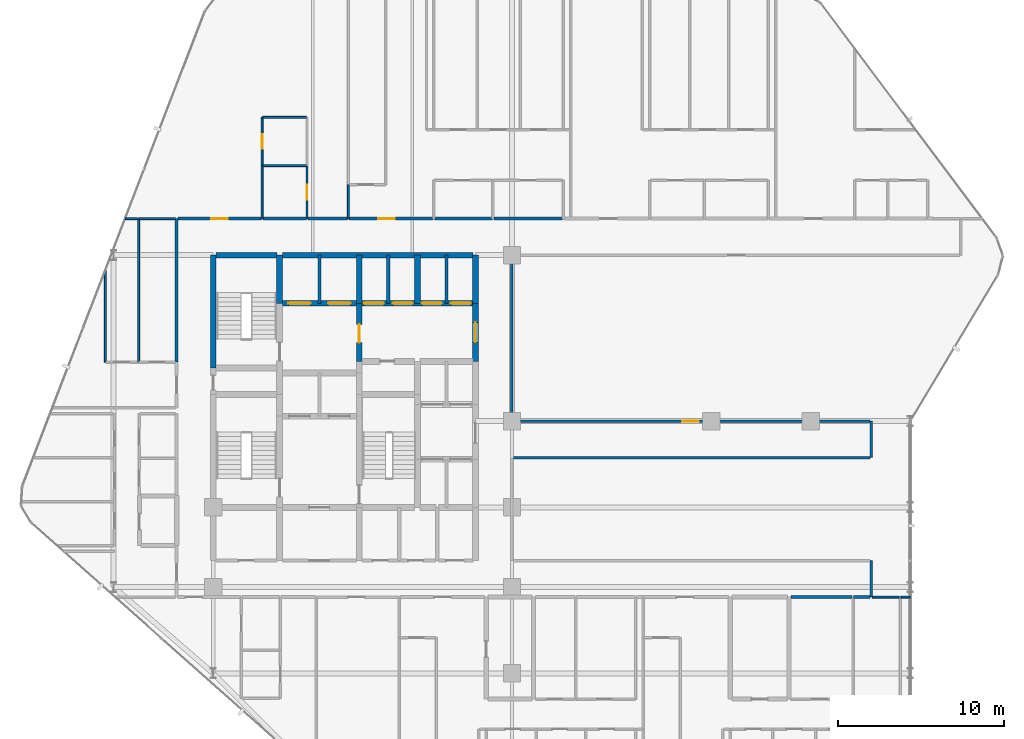
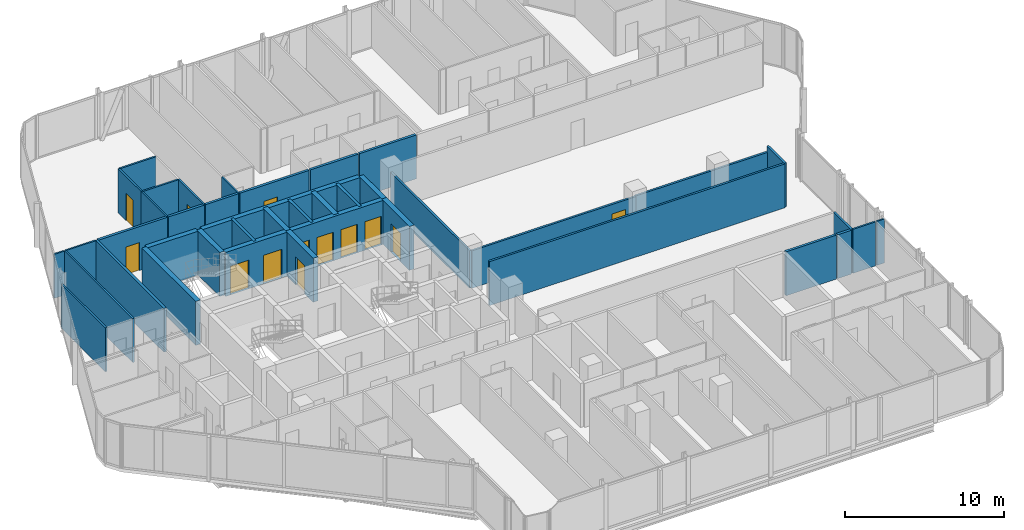
# One storey, part 27 of 30: 40 walls, 13 doors, 13 openings.
"""IFC4 building model written with IfcOpenShell, lengths in metres."""

from ifc_helpers import new_model, si_unit, direction, frame, frame_2d, origin, place, context, subcontext, project, spatial, rectangle, extrude, material, layer, layer_set, type_object, element, fill, save


model = new_model("IFC4")

# Units and contexts
model_context = context("Model", 3, precision=1e-05, world=origin(), true_north=direction((0.0, 1.0)))
body_context = subcontext(model_context, "Body", "Model", "MODEL_VIEW")
ifc_project = project(units=[si_unit("LENGTHUNIT", "METRE"), si_unit("AREAUNIT", "SQUARE_METRE"), si_unit("VOLUMEUNIT", "CUBIC_METRE"), si_unit("PLANEANGLEUNIT", "RADIAN"), si_unit("MASSUNIT", "GRAM", prefix="KILO")], contexts=[model_context])

# Site, building, storey
site_placement = place(None, origin())
site = spatial("IfcSite", under=ifc_project, at=site_placement, CompositionType="ELEMENT")
building_placement = place(site_placement, origin())
building = spatial("IfcBuilding", under=site, at=building_placement, Name="Keshet Zoharim Tower", CompositionType="ELEMENT")
storey_placement = place(building_placement, frame((0.0, 0.0, 109.39990234375)))
storey = spatial("IfcBuildingStorey", under=building, at=storey_placement, Name="L26", CompositionType="ELEMENT", Elevation=109.39990234375)

# Walls
ifc_material_1 = material(Name="Gypsum Plasterboard", Category="gypsum")
ifc_layer_1 = layer(ifc_material_1, 0.14990234375)
ifc_layer_set_1 = layer_set([ifc_layer_1], Name="Gypsum Plasterboard")
wall_type_1 = type_object("IfcWallType", Name="WL-CLIN-150", PredefinedType="STANDARD", material=ifc_layer_set_1)
wall_1_placement = place(storey_placement, frame((33.0, 27.909912109375, 0.0), z_axis=(0.0, 0.0, 1.0), x_axis=(0.0, 1.0, 0.0)))
element("IfcWall", 1, at=wall_1_placement, inside=storey, type_object=wall_type_1, Name="L26 Interior Wall 072", PredefinedType="STANDARD", context=body_context, shape_type="SweptSolid", body=[
    extrude(rectangle(XDim=9.97998046875, YDim=0.14990234375, at=frame_2d((4.989990234375, 0.0))), origin(), (0.0, 0.0, 1.0), 2.885009765625),
])
wall_2_placement = place(storey_placement, frame((54.64990234375, 17.31005859375, 0.0), z_axis=(0.0, 0.0, 1.0), x_axis=(0.0, 1.0, 0.0)))
element("IfcWall", 2, at=wall_2_placement, inside=storey, type_object=wall_type_1, Name="L26 Interior Wall 106", PredefinedType="STANDARD", context=body_context, shape_type="SweptSolid", body=[
    extrude(rectangle(XDim=2.18994140625, YDim=0.14990234375, at=frame_2d((1.094970703125, 0.0))), origin(), (0.0, 0.0, 1.0), 3.385009765625),
])
wall_3_placement = place(storey_placement, frame((54.64990234375, 25.699951171875, 0.0), z_axis=(0.0, 0.0, 1.0), x_axis=(0.0, 1.0, 0.0)))
element("IfcWall", 3, at=wall_3_placement, inside=storey, type_object=wall_type_1, Name="L26 Interior Wall 107", PredefinedType="STANDARD", context=body_context, shape_type="SweptSolid", body=[
    extrude(rectangle(XDim=2.199951171875, YDim=0.14990234375, at=frame_2d((1.10009765625, 0.0))), origin(), (0.0, 0.0, 1.0), 3.385009765625),
])
wall_4_placement = place(storey_placement, frame((33.070068359375, 25.699951171875, 0.0), z_axis=(0.0, 0.0, 1.0), x_axis=(1.0, 0.0, 0.0)))
element("IfcWall", 4, at=wall_4_placement, inside=storey, type_object=wall_type_1, Name="L26 Interior Wall 160", PredefinedType="STANDARD", context=body_context, shape_type="SweptSolid", body=[
    extrude(rectangle(XDim=21.510009765625, YDim=0.14990234375, at=frame_2d((10.7548828125, 0.0))), origin(), (0.0, 0.0, 1.0), 3.385009765625),
])

# Wall, opening, door
wall_5_placement = place(storey_placement, frame((33.070068359375, 27.89990234375, 0.0), z_axis=(0.0, 0.0, 1.0), x_axis=(1.0, 0.0, 0.0)))
wall_5 = element("IfcWall", 5, at=wall_5_placement, inside=storey, type_object=wall_type_1, Name="L26 Interior Wall 161", PredefinedType="STANDARD", context=body_context, shape_type="SweptSolid", body=[
    extrude(rectangle(XDim=11.929931640625, YDim=0.14990234375, at=frame_2d((5.96484375, 0.0))), origin(), (0.0, 0.0, 1.0), 2.885009765625),
])
opening_1_placement = place(wall_5_placement, frame((10.18505859375, 0.0, 0.0)))
opening_1 = element("IfcOpeningElement", 6, at=opening_1_placement, cuts=wall_5, Name="Opening D-F310", PredefinedType="OPENING", context=body_context, shape_type="SweptSolid", body=[
    extrude(rectangle(XDim=1.0, YDim=2.14990234375, at=frame_2d((0.5, 1.074951171875))), frame((0.0, 0.0849609375, 0.0), z_axis=(0.0, -1.0, 0.0), x_axis=(1.0, 0.0, 0.0)), (0.0, 0.0, 1.0), 0.169921875),
])
ifc_material_2 = material(Name="Hardwood Timber", Category="wood")
door_type_1 = type_object("IfcDoorType", Name="DR-FD30-100", OperationType="NOTDEFINED", PredefinedType="DOOR", material=ifc_material_2)
door_1_placement = place(opening_1_placement, origin())
door_1 = element("IfcDoor", 7, at=door_1_placement, inside=storey, type_object=door_type_1, Name="L26 North East Residents Services Suite Door 2", OperationType="SINGLE_SWING_RIGHT", OverallHeight=2.14990234375, OverallWidth=1.0, PredefinedType="DOOR", context=body_context, shape_type="SweptSolid", body=[
    extrude(rectangle(XDim=1.0, YDim=2.14990234375, at=frame_2d((0.5, 1.074951171875))), frame((0.0, 0.02490234375, 0.0), z_axis=(0.0, -1.0, 0.0), x_axis=(1.0, 0.0, 0.0)), (0.0, 0.0, 1.0), 0.050048828125),
])
fill(opening_1, door_1)

# Walls
wall_6_placement = place(storey_placement, frame((45.0, 27.89990234375, 0.0), z_axis=(0.0, 0.0, 1.0), x_axis=(1.0, 0.0, 0.0)))
element("IfcWall", 8, at=wall_6_placement, inside=storey, type_object=wall_type_1, Name="L26 Interior Wall 161 Part 2", PredefinedType="STANDARD", context=body_context, shape_type="SweptSolid", body=[
    extrude(rectangle(XDim=9.580078125, YDim=0.14990234375, at=frame_2d((4.7900390625, 0.0))), origin(), (0.0, 0.0, 1.0), 2.93505859375),
])
ifc_material_3 = material(Name="Concrete C60/75", Category="concrete")
ifc_layer_2 = layer(ifc_material_3, 0.35009765625)
ifc_layer_set_2 = layer_set([ifc_layer_2], Name="Concrete C60/75")
wall_type_2 = type_object("IfcWallType", Name="WL-CORE-350", PredefinedType="SHEAR", material=ifc_layer_set_2)
wall_7_placement = place(storey_placement, frame((15.0, 31.10009765625, 0.0), z_axis=(0.0, 0.0, 1.0), x_axis=(0.0, 1.0, 0.0)))
element("IfcWall", 9, at=wall_7_placement, inside=storey, type_object=wall_type_2, Name="L26 Core Shear Wall 016", PredefinedType="SHEAR", context=body_context, shape_type="SweptSolid", body=[
    extrude(rectangle(XDim=6.7998046875, YDim=0.35009765625, at=frame_2d((3.39990234375, 0.0))), origin(), (0.0, 0.0, 1.0), 3.385009765625),
])
wall_8_placement = place(storey_placement, frame((19.0, 35.0, 0.0), z_axis=(0.0, 0.0, 1.0), x_axis=(0.0, 1.0, 0.0)))
element("IfcWall", 10, at=wall_8_placement, inside=storey, type_object=wall_type_2, Name="L26 Core Shear Wall 025", PredefinedType="SHEAR", context=body_context, shape_type="SweptSolid", body=[
    extrude(rectangle(XDim=2.89990234375, YDim=0.35009765625, at=frame_2d((1.449951171875, 0.0))), origin(), (0.0, 0.0, 1.0), 3.385009765625),
])

# Wall, opening, door
wall_9_placement = place(storey_placement, frame((23.800048828125, 31.5, 0.0), z_axis=(0.0, 0.0, 1.0), x_axis=(0.0, 1.0, 0.0)))
wall_9 = element("IfcWall", 11, at=wall_9_placement, inside=storey, type_object=wall_type_2, Name="L26 Core Shear Wall 040", PredefinedType="SHEAR", context=body_context, shape_type="SweptSolid", body=[
    extrude(rectangle(XDim=3.5, YDim=0.35009765625, at=frame_2d((1.75, 0.0))), origin(), (0.0, 0.0, 1.0), 3.385009765625),
])
opening_2_placement = place(wall_9_placement, frame((1.126953125, 0.0, 0.0)))
opening_2 = element("IfcOpeningElement", 12, at=opening_2_placement, cuts=wall_9, Name="Opening D-F611", PredefinedType="OPENING", context=body_context, shape_type="SweptSolid", body=[
    extrude(rectangle(XDim=1.10009765625, YDim=2.14990234375, at=frame_2d((0.550048828125, 1.074951171875))), frame((0.0, 0.18505859375, 0.0), z_axis=(0.0, -1.0, 0.0), x_axis=(1.0, 0.0, 0.0)), (0.0, 0.0, 1.0), 0.3701171875),
])
door_type_2 = type_object("IfcDoorType", Name="DR-FD60-110", OperationType="NOTDEFINED", PredefinedType="DOOR", material=ifc_material_2)
door_2_placement = place(opening_2_placement, origin())
door_2 = element("IfcDoor", 13, at=door_2_placement, inside=storey, type_object=door_type_2, Name="L26 Firefighting Lobby Fire Door", OperationType="SINGLE_SWING_RIGHT", OverallHeight=2.14990234375, OverallWidth=1.10009765625, PredefinedType="DOOR", context=body_context, shape_type="SweptSolid", body=[
    extrude(rectangle(XDim=1.10009765625, YDim=2.14990234375, at=frame_2d((0.550048828125, 1.074951171875))), frame((0.0, 0.02490234375, 0.0), z_axis=(0.0, -1.0, 0.0), x_axis=(1.0, 0.0, 0.0)), (0.0, 0.0, 1.0), 0.050048828125),
])
fill(opening_2, door_2)

# Walls
for number, where, z_axis, x_axis, name in (
    (14, (23.800048828125, 35.0, 0.0), (0.0, 0.0, 1.0), (0.0, 1.0, 0.0), "L26 Core Shear Wall 041"),
    (15, (27.300048828125, 35.0, 0.0), (0.0, 0.0, 1.0), (0.0, 1.0, 0.0), "L26 Core Shear Wall 051"),
):
    element("IfcWall", number, at=place(storey_placement, frame(where, z_axis=z_axis, x_axis=x_axis)), inside=storey, type_object=wall_type_2, Name=name, PredefinedType="SHEAR", context=body_context, shape_type="SweptSolid", body=[
        extrude(rectangle(XDim=2.89990234375, YDim=0.35009765625, at=frame_2d((1.449951171875, 0.0))), origin(), (0.0, 0.0, 1.0), 3.385009765625),
    ])

# Wall, opening, door
wall_10_placement = place(storey_placement, frame((30.800048828125, 31.5, 0.0), z_axis=(0.0, 0.0, 1.0), x_axis=(0.0, 1.0, 0.0)))
wall_10 = element("IfcWall", 16, at=wall_10_placement, inside=storey, type_object=wall_type_2, Name="L26 Core Shear Wall 064", PredefinedType="SHEAR", context=body_context, shape_type="SweptSolid", body=[
    extrude(rectangle(XDim=3.5, YDim=0.35009765625, at=frame_2d((1.75, 0.0))), origin(), (0.0, 0.0, 1.0), 3.385009765625),
])
opening_3_placement = place(wall_10_placement, frame((1.14990234375, 0.0, 0.0)))
opening_3 = element("IfcOpeningElement", 17, at=opening_3_placement, cuts=wall_10, Name="Opening D-F612", PredefinedType="OPENING", context=body_context, shape_type="SweptSolid", body=[
    extrude(rectangle(XDim=1.199951171875, YDim=2.199951171875, at=frame_2d((0.60009765625, 1.10009765625))), frame((0.0, 0.18505859375, 0.0), z_axis=(0.0, -1.0, 0.0), x_axis=(1.0, 0.0, 0.0)), (0.0, 0.0, 1.0), 0.3701171875),
])
door_type_3 = type_object("IfcDoorType", Name="DR-FD60-120", OperationType="NOTDEFINED", PredefinedType="DOOR", material=ifc_material_2)
door_3_placement = place(opening_3_placement, origin())
door_3 = element("IfcDoor", 18, at=door_3_placement, inside=storey, type_object=door_type_3, Name="L26 North Lift Lobby East Fire Door", OperationType="SINGLE_SWING_RIGHT", OverallHeight=2.199951171875, OverallWidth=1.199951171875, PredefinedType="DOOR", context=body_context, shape_type="SweptSolid", body=[
    extrude(rectangle(XDim=1.199951171875, YDim=2.199951171875, at=frame_2d((0.60009765625, 1.10009765625))), frame((0.0, 0.02490234375, 0.0), z_axis=(0.0, -1.0, 0.0), x_axis=(1.0, 0.0, 0.0)), (0.0, 0.0, 1.0), 0.050048828125),
])
fill(opening_3, door_3)

# Wall
wall_11_placement = place(storey_placement, frame((30.800048828125, 35.0, 0.0), z_axis=(0.0, 0.0, 1.0), x_axis=(0.0, 1.0, 0.0)))
element("IfcWall", 19, at=wall_11_placement, inside=storey, type_object=wall_type_2, Name="L26 Core Shear Wall 065", PredefinedType="SHEAR", context=body_context, shape_type="SweptSolid", body=[
    extrude(rectangle(XDim=2.89990234375, YDim=0.35009765625, at=frame_2d((1.449951171875, 0.0))), origin(), (0.0, 0.0, 1.0), 3.385009765625),
])

# Wall, openings, doors
wall_12_placement = place(storey_placement, frame((19.159912109375, 35.0, 0.0), z_axis=(0.0, 0.0, 1.0), x_axis=(1.0, 0.0, 0.0)))
wall_12 = element("IfcWall", 20, at=wall_12_placement, inside=storey, type_object=wall_type_2, Name="L26 Core Shear Wall 176", PredefinedType="SHEAR", context=body_context, shape_type="SweptSolid", body=[
    extrude(rectangle(XDim=11.47998046875, YDim=0.35009765625, at=frame_2d((5.739990234375, 0.0))), origin(), (0.0, 0.0, 1.0), 3.385009765625),
])
opening_4_placement = place(wall_12_placement, frame((0.364990234375, 0.0, 0.0)))
opening_4 = element("IfcOpeningElement", 21, at=opening_4_placement, cuts=wall_12, Name="Opening LD-02", PredefinedType="OPENING", context=body_context, shape_type="SweptSolid", body=[
    extrude(rectangle(XDim=1.35009765625, YDim=2.199951171875, at=frame_2d((0.675048828125, 1.10009765625))), frame((0.0, 0.18505859375, 0.0), z_axis=(0.0, -1.0, 0.0), x_axis=(1.0, 0.0, 0.0)), (0.0, 0.0, 1.0), 0.3701171875),
])
opening_5_placement = place(wall_12_placement, frame((2.764892578125, 0.0, 0.0)))
opening_5 = element("IfcOpeningElement", 22, at=opening_5_placement, cuts=wall_12, Name="Opening LD-02", PredefinedType="OPENING", context=body_context, shape_type="SweptSolid", body=[
    extrude(rectangle(XDim=1.35009765625, YDim=2.199951171875, at=frame_2d((0.675048828125, 1.10009765625))), frame((0.0, 0.18505859375, 0.0), z_axis=(0.0, -1.0, 0.0), x_axis=(1.0, 0.0, 0.0)), (0.0, 0.0, 1.0), 0.3701171875),
])
opening_6_placement = place(wall_12_placement, frame((4.9150390625, 0.0, 0.0)))
opening_6 = element("IfcOpeningElement", 23, at=opening_6_placement, cuts=wall_12, Name="Opening LD-03", PredefinedType="OPENING", context=body_context, shape_type="SweptSolid", body=[
    extrude(rectangle(XDim=1.199951171875, YDim=2.199951171875, at=frame_2d((0.60009765625, 1.10009765625))), frame((0.0, 0.18505859375, 0.0), z_axis=(0.0, -1.0, 0.0), x_axis=(1.0, 0.0, 0.0)), (0.0, 0.0, 1.0), 0.3701171875),
])
opening_7_placement = place(wall_12_placement, frame((6.6650390625, 0.0, 0.0)))
opening_7 = element("IfcOpeningElement", 24, at=opening_7_placement, cuts=wall_12, Name="Opening LD-03", PredefinedType="OPENING", context=body_context, shape_type="SweptSolid", body=[
    extrude(rectangle(XDim=1.199951171875, YDim=2.199951171875, at=frame_2d((0.60009765625, 1.10009765625))), frame((0.0, 0.18505859375, 0.0), z_axis=(0.0, -1.0, 0.0), x_axis=(1.0, 0.0, 0.0)), (0.0, 0.0, 1.0), 0.3701171875),
])
opening_8_placement = place(wall_12_placement, frame((8.4150390625, 0.0, 0.0)))
opening_8 = element("IfcOpeningElement", 25, at=opening_8_placement, cuts=wall_12, Name="Opening LD-03", PredefinedType="OPENING", context=body_context, shape_type="SweptSolid", body=[
    extrude(rectangle(XDim=1.199951171875, YDim=2.199951171875, at=frame_2d((0.60009765625, 1.10009765625))), frame((0.0, 0.18505859375, 0.0), z_axis=(0.0, -1.0, 0.0), x_axis=(1.0, 0.0, 0.0)), (0.0, 0.0, 1.0), 0.3701171875),
])
opening_9_placement = place(wall_12_placement, frame((10.159912109375, 0.0, 0.0)))
opening_9 = element("IfcOpeningElement", 26, at=opening_9_placement, cuts=wall_12, Name="Opening LD-03", PredefinedType="OPENING", context=body_context, shape_type="SweptSolid", body=[
    extrude(rectangle(XDim=1.199951171875, YDim=2.199951171875, at=frame_2d((0.60009765625, 1.10009765625))), frame((0.0, 0.18505859375, 0.0), z_axis=(0.0, -1.0, 0.0), x_axis=(1.0, 0.0, 0.0)), (0.0, 0.0, 1.0), 0.3701171875),
])
ifc_material_4 = material(Name="Steel S355", Category="steel")
door_type_4 = type_object("IfcDoorType", Name="DR-LD02-135", OperationType="DOUBLE_DOOR_SLIDING", PredefinedType="DOOR", material=ifc_material_4)
door_4_placement = place(opening_4_placement, origin())
door_4 = element("IfcDoor", 27, at=door_4_placement, inside=storey, type_object=door_type_4, Name="L26 Firefighting Lift Landing Door FF-01", OperationType="DOUBLE_DOOR_SLIDING", OverallHeight=2.199951171875, OverallWidth=1.35009765625, PredefinedType="DOOR", context=body_context, shape_type="SweptSolid", body=[
    extrude(rectangle(XDim=1.35009765625, YDim=2.199951171875, at=frame_2d((0.675048828125, 1.10009765625))), frame((0.0, 0.02490234375, 0.0), z_axis=(0.0, -1.0, 0.0), x_axis=(1.0, 0.0, 0.0)), (0.0, 0.0, 1.0), 0.050048828125),
])
fill(opening_4, door_4)
door_5_placement = place(opening_5_placement, origin())
door_5 = element("IfcDoor", 28, at=door_5_placement, inside=storey, type_object=door_type_4, Name="L26 Firefighting Lift Landing Door FF-02", OperationType="DOUBLE_DOOR_SLIDING", OverallHeight=2.199951171875, OverallWidth=1.35009765625, PredefinedType="DOOR", context=body_context, shape_type="SweptSolid", body=[
    extrude(rectangle(XDim=1.35009765625, YDim=2.199951171875, at=frame_2d((0.675048828125, 1.10009765625))), frame((0.0, 0.02490234375, 0.0), z_axis=(0.0, -1.0, 0.0), x_axis=(1.0, 0.0, 0.0)), (0.0, 0.0, 1.0), 0.050048828125),
])
fill(opening_5, door_5)
door_type_5 = type_object("IfcDoorType", Name="DR-LD03-120", OperationType="DOUBLE_DOOR_SLIDING", PredefinedType="DOOR", material=ifc_material_4)
door_6_placement = place(opening_6_placement, origin())
door_6 = element("IfcDoor", 29, at=door_6_placement, inside=storey, type_object=door_type_5, Name="L26 Passenger Lift Landing Door LF-01", OperationType="DOUBLE_DOOR_SLIDING", OverallHeight=2.199951171875, OverallWidth=1.199951171875, PredefinedType="DOOR", context=body_context, shape_type="SweptSolid", body=[
    extrude(rectangle(XDim=1.199951171875, YDim=2.199951171875, at=frame_2d((0.60009765625, 1.10009765625))), frame((0.0, 0.02490234375, 0.0), z_axis=(0.0, -1.0, 0.0), x_axis=(1.0, 0.0, 0.0)), (0.0, 0.0, 1.0), 0.050048828125),
])
fill(opening_6, door_6)
door_7_placement = place(opening_7_placement, origin())
door_7 = element("IfcDoor", 30, at=door_7_placement, inside=storey, type_object=door_type_5, Name="L26 Passenger Lift Landing Door LF-02", OperationType="DOUBLE_DOOR_SLIDING", OverallHeight=2.199951171875, OverallWidth=1.199951171875, PredefinedType="DOOR", context=body_context, shape_type="SweptSolid", body=[
    extrude(rectangle(XDim=1.199951171875, YDim=2.199951171875, at=frame_2d((0.60009765625, 1.10009765625))), frame((0.0, 0.02490234375, 0.0), z_axis=(0.0, -1.0, 0.0), x_axis=(1.0, 0.0, 0.0)), (0.0, 0.0, 1.0), 0.050048828125),
])
fill(opening_7, door_7)
door_8_placement = place(opening_8_placement, origin())
door_8 = element("IfcDoor", 31, at=door_8_placement, inside=storey, type_object=door_type_5, Name="L26 Passenger Lift Landing Door LF-03", OperationType="DOUBLE_DOOR_SLIDING", OverallHeight=2.199951171875, OverallWidth=1.199951171875, PredefinedType="DOOR", context=body_context, shape_type="SweptSolid", body=[
    extrude(rectangle(XDim=1.199951171875, YDim=2.199951171875, at=frame_2d((0.60009765625, 1.10009765625))), frame((0.0, 0.02490234375, 0.0), z_axis=(0.0, -1.0, 0.0), x_axis=(1.0, 0.0, 0.0)), (0.0, 0.0, 1.0), 0.050048828125),
])
fill(opening_8, door_8)
door_9_placement = place(opening_9_placement, origin())
door_9 = element("IfcDoor", 32, at=door_9_placement, inside=storey, type_object=door_type_5, Name="L26 Passenger Lift Landing Door LF-04", OperationType="DOUBLE_DOOR_SLIDING", OverallHeight=2.199951171875, OverallWidth=1.199951171875, PredefinedType="DOOR", context=body_context, shape_type="SweptSolid", body=[
    extrude(rectangle(XDim=1.199951171875, YDim=2.199951171875, at=frame_2d((0.60009765625, 1.10009765625))), frame((0.0, 0.02490234375, 0.0), z_axis=(0.0, -1.0, 0.0), x_axis=(1.0, 0.0, 0.0)), (0.0, 0.0, 1.0), 0.050048828125),
])
fill(opening_9, door_9)

# Walls
wall_13_placement = place(storey_placement, frame((15.159912109375, 37.89990234375, 0.0), z_axis=(0.0, 0.0, 1.0), x_axis=(1.0, 0.0, 0.0)))
element("IfcWall", 33, at=wall_13_placement, inside=storey, type_object=wall_type_2, Name="L26 Core Shear Wall 177", PredefinedType="SHEAR", context=body_context, shape_type="SweptSolid", body=[
    extrude(rectangle(XDim=3.68017578125, YDim=0.35009765625, at=frame_2d((1.840087890625, 0.0))), origin(), (0.0, 0.0, 1.0), 3.385009765625),
])
wall_14_placement = place(storey_placement, frame((19.159912109375, 37.89990234375, 0.0), z_axis=(0.0, 0.0, 1.0), x_axis=(1.0, 0.0, 0.0)))
element("IfcWall", 34, at=wall_14_placement, inside=storey, type_object=wall_type_2, Name="L26 Core Shear Wall 178", PredefinedType="SHEAR", context=body_context, shape_type="SweptSolid", body=[
    extrude(rectangle(XDim=11.47998046875, YDim=0.35009765625, at=frame_2d((5.739990234375, 0.0))), origin(), (0.0, 0.0, 1.0), 3.385009765625),
])
ifc_layer_3 = layer(ifc_material_1, 0.179931640625)
ifc_layer_set_3 = layer_set([ifc_layer_3], Name="Gypsum Plasterboard")
wall_type_3 = type_object("IfcWallType", Name="WL-CORR-180", PredefinedType="STANDARD", material=ifc_layer_set_3)
wall_15_placement = place(storey_placement, frame((12.800048828125, 31.449951171875, 0.0), z_axis=(0.0, 0.0, 1.0), x_axis=(0.0, 1.0, 0.0)))
element("IfcWall", 35, at=wall_15_placement, inside=storey, type_object=wall_type_3, Name="L26 Interior Wall 012", PredefinedType="STANDARD", context=body_context, shape_type="SweptSolid", body=[
    extrude(rectangle(XDim=8.650146484375, YDim=0.179931640625, at=frame_2d((4.3251953125, 0.0))), origin(), (0.0, 0.0, 1.0), 3.385009765625),
])
wall_16_placement = place(storey_placement, frame((49.81005859375, 17.300048828125, 0.0), z_axis=(0.0, 0.0, 1.0), x_axis=(1.0, 0.0, 0.0)))
element("IfcWall", 36, at=wall_16_placement, inside=storey, type_object=wall_type_3, Name="L26 Interior Wall 138", PredefinedType="STANDARD", context=body_context, shape_type="SweptSolid", body=[
    extrude(rectangle(XDim=3.6708984375, YDim=0.179931640625, at=frame_2d((1.83544921875, 0.0))), origin(), (0.0, 0.0, 1.0), 3.385009765625),
])
wall_17_placement = place(storey_placement, frame((53.571044921875, 17.300048828125, 0.0), z_axis=(0.0, 0.0, 1.0), x_axis=(1.0, 0.0, 0.0)))
element("IfcWall", 37, at=wall_17_placement, inside=storey, type_object=wall_type_3, Name="L26 Interior Wall 139", PredefinedType="STANDARD", context=body_context, shape_type="SweptSolid", body=[
    extrude(rectangle(XDim=1.009033203125, YDim=0.179931640625, at=frame_2d((0.50439453125, 0.0))), origin(), (0.0, 0.0, 1.0), 3.385009765625),
])

# Wall, opening, door
wall_18_placement = place(storey_placement, frame((12.875, 40.10009765625, 0.0), z_axis=(0.0, 0.0, 1.0), x_axis=(1.0, 0.0, 0.0)))
wall_18 = element("IfcWall", 38, at=wall_18_placement, inside=storey, type_object=wall_type_3, Name="L26 Interior Wall 182", PredefinedType="STANDARD", context=body_context, shape_type="SweptSolid", body=[
    extrude(rectangle(XDim=5.030029296875, YDim=0.179931640625, at=frame_2d((2.51513671875, 0.0))), origin(), (0.0, 0.0, 1.0), 3.385009765625),
])
opening_10_placement = place(wall_18_placement, frame((2.0, 0.0, 0.0)))
opening_10 = element("IfcOpeningElement", 39, at=opening_10_placement, cuts=wall_18, Name="Opening D-F310", PredefinedType="OPENING", context=body_context, shape_type="SweptSolid", body=[
    extrude(rectangle(XDim=1.0, YDim=2.14990234375, at=frame_2d((0.5, 1.074951171875))), frame((0.0, 0.10009765625, 0.0), z_axis=(0.0, -1.0, 0.0), x_axis=(1.0, 0.0, 0.0)), (0.0, 0.0, 1.0), 0.199951171875),
])
door_10_placement = place(opening_10_placement, origin())
door_10 = element("IfcDoor", 40, at=door_10_placement, inside=storey, type_object=door_type_1, Name="Apartment 2604 Entrance Door", OperationType="SINGLE_SWING_LEFT", OverallHeight=2.14990234375, OverallWidth=1.0, PredefinedType="DOOR", context=body_context, shape_type="SweptSolid", body=[
    extrude(rectangle(XDim=1.0, YDim=2.14990234375, at=frame_2d((0.5, 1.074951171875))), frame((0.0, 0.02490234375, 0.0), z_axis=(0.0, -1.0, 0.0), x_axis=(1.0, 0.0, 0.0)), (0.0, 0.0, 1.0), 0.050048828125),
])
fill(opening_10, door_10)

# Walls
wall_19_placement = place(storey_placement, frame((17.9951171875, 40.10009765625, 0.0), z_axis=(0.0, 0.0, 1.0), x_axis=(1.0, 0.0, 0.0)))
element("IfcWall", 41, at=wall_19_placement, inside=storey, type_object=wall_type_3, Name="L26 Interior Wall 183", PredefinedType="STANDARD", context=body_context, shape_type="SweptSolid", body=[
    extrude(rectangle(XDim=2.60986328125, YDim=0.179931640625, at=frame_2d((1.304931640625, 0.0))), origin(), (0.0, 0.0, 1.0), 3.385009765625),
])
wall_20_placement = place(storey_placement, frame((20.695068359375, 40.10009765625, 0.0), z_axis=(0.0, 0.0, 1.0), x_axis=(1.0, 0.0, 0.0)))
element("IfcWall", 42, at=wall_20_placement, inside=storey, type_object=wall_type_3, Name="L26 Interior Wall 184", PredefinedType="STANDARD", context=body_context, shape_type="SweptSolid", body=[
    extrude(rectangle(XDim=2.409912109375, YDim=0.179931640625, at=frame_2d((1.205078125, 0.0))), origin(), (0.0, 0.0, 1.0), 3.385009765625),
])

# Wall, opening, door
wall_21_placement = place(storey_placement, frame((23.195068359375, 40.10009765625, 0.0), z_axis=(0.0, 0.0, 1.0), x_axis=(1.0, 0.0, 0.0)))
wall_21 = element("IfcWall", 43, at=wall_21_placement, inside=storey, type_object=wall_type_3, Name="L26 Interior Wall 185", PredefinedType="STANDARD", context=body_context, shape_type="SweptSolid", body=[
    extrude(rectangle(XDim=5.0400390625, YDim=0.179931640625, at=frame_2d((2.52001953125, 0.0))), origin(), (0.0, 0.0, 1.0), 3.385009765625),
])
opening_11_placement = place(wall_21_placement, frame((1.75, 0.0, 0.0)))
opening_11 = element("IfcOpeningElement", 44, at=opening_11_placement, cuts=wall_21, Name="Opening D-F310", PredefinedType="OPENING", context=body_context, shape_type="SweptSolid", body=[
    extrude(rectangle(XDim=1.0, YDim=2.14990234375, at=frame_2d((0.5, 1.074951171875))), frame((0.0, 0.10009765625, 0.0), z_axis=(0.0, -1.0, 0.0), x_axis=(1.0, 0.0, 0.0)), (0.0, 0.0, 1.0), 0.199951171875),
])
door_11_placement = place(opening_11_placement, origin())
door_11 = element("IfcDoor", 45, at=door_11_placement, inside=storey, type_object=door_type_1, Name="Apartment 2605 Entrance Door", OperationType="SINGLE_SWING_RIGHT", OverallHeight=2.14990234375, OverallWidth=1.0, PredefinedType="DOOR", context=body_context, shape_type="SweptSolid", body=[
    extrude(rectangle(XDim=1.0, YDim=2.14990234375, at=frame_2d((0.5, 1.074951171875))), frame((0.0, 0.02490234375, 0.0), z_axis=(0.0, -1.0, 0.0), x_axis=(1.0, 0.0, 0.0)), (0.0, 0.0, 1.0), 0.050048828125),
])
fill(opening_11, door_11)

# Walls
wall_22_placement = place(storey_placement, frame((28.324951171875, 40.10009765625, 0.0), z_axis=(0.0, 0.0, 1.0), x_axis=(1.0, 0.0, 0.0)))
element("IfcWall", 46, at=wall_22_placement, inside=storey, type_object=wall_type_3, Name="L26 Interior Wall 186", PredefinedType="STANDARD", context=body_context, shape_type="SweptSolid", body=[
    extrude(rectangle(XDim=3.498046875, YDim=0.179931640625, at=frame_2d((1.7490234375, 0.0))), origin(), (0.0, 0.0, 1.0), 3.385009765625),
])
wall_23_placement = place(storey_placement, frame((31.9130859375, 40.10009765625, 0.0), z_axis=(0.0, 0.0, 1.0), x_axis=(1.0, 0.0, 0.0)))
element("IfcWall", 47, at=wall_23_placement, inside=storey, type_object=wall_type_3, Name="L26 Interior Wall 187", PredefinedType="STANDARD", context=body_context, shape_type="SweptSolid", body=[
    extrude(rectangle(XDim=4.121826171875, YDim=0.179931640625, at=frame_2d((2.06103515625, 0.0))), origin(), (0.0, 0.0, 1.0), 3.385009765625),
])
ifc_material_5 = material(Name="Concrete C50/60", Category="concrete")
ifc_layer_4 = layer(ifc_material_5, 0.199951171875)
ifc_layer_set_4 = layer_set([ifc_layer_4], Name="Concrete C50/60")
wall_type_4 = type_object("IfcWallType", Name="WL-FIRE-200", PredefinedType="STANDARD", material=ifc_layer_set_4)
for number, where, z_axis, x_axis, name in (
    (48, (21.39990234375, 35.0, 0.0), (0.0, 0.0, 1.0), (0.0, 1.0, 0.0), "L26 Interior Wall 032"),
    (49, (25.550048828125, 35.0, 0.0), (0.0, 0.0, 1.0), (0.0, 1.0, 0.0), "L26 Interior Wall 043"),
    (50, (29.050048828125, 35.0, 0.0), (0.0, 0.0, 1.0), (0.0, 1.0, 0.0), "L26 Interior Wall 059"),
):
    element("IfcWall", number, at=place(storey_placement, frame(where, z_axis=z_axis, x_axis=x_axis)), inside=storey, type_object=wall_type_4, Name=name, PredefinedType="STANDARD", context=body_context, shape_type="SweptSolid", body=[
        extrude(rectangle(XDim=2.89990234375, YDim=0.199951171875, at=frame_2d((1.449951171875, 0.0))), origin(), (0.0, 0.0, 1.0), 3.385009765625),
    ])
ifc_layer_5 = layer(ifc_material_1, 0.1201171875)
ifc_layer_set_5 = layer_set([ifc_layer_5], Name="Gypsum Plasterboard")
wall_type_5 = type_object("IfcWallType", Name="WL-PART-120", PredefinedType="PARTITIONING", material=ifc_layer_set_5)
wall_24_placement = place(storey_placement, frame((8.5, 31.449951171875, 0.0), z_axis=(0.0, 0.0, 1.0), x_axis=(0.0, 1.0, 0.0)))
element("IfcWall", 51, at=wall_24_placement, inside=storey, type_object=wall_type_5, Name="L26 Interior Wall 001", PredefinedType="PARTITIONING", context=body_context, shape_type="SweptSolid", body=[
    extrude(rectangle(XDim=5.5400390625, YDim=0.1201171875, at=frame_2d((2.77001953125, 0.0))), origin(), (0.0, 0.0, 1.0), 3.385009765625),
])
wall_25_placement = place(storey_placement, frame((17.949951171875, 40.10009765625, 0.0), z_axis=(0.0, 0.0, 1.0), x_axis=(0.0, 1.0, 0.0)))
element("IfcWall", 52, at=wall_25_placement, inside=storey, type_object=wall_type_5, Name="L26 Interior Wall 019", PredefinedType="PARTITIONING", context=body_context, shape_type="SweptSolid", body=[
    extrude(rectangle(XDim=3.199951171875, YDim=0.1201171875, at=frame_2d((1.60009765625, 0.0))), origin(), (0.0, 0.0, 1.0), 3.385009765625),
])

# Wall, opening, door
wall_26_placement = place(storey_placement, frame((20.64990234375, 40.10009765625, 0.0), z_axis=(0.0, 0.0, 1.0), x_axis=(0.0, 1.0, 0.0)))
wall_26 = element("IfcWall", 53, at=wall_26_placement, inside=storey, type_object=wall_type_5, Name="L26 Interior Wall 028", PredefinedType="PARTITIONING", context=body_context, shape_type="SweptSolid", body=[
    extrude(rectangle(XDim=3.199951171875, YDim=0.1201171875, at=frame_2d((1.60009765625, 0.0))), origin(), (0.0, 0.0, 1.0), 3.385009765625),
])
opening_12_placement = place(wall_26_placement, frame((1.14990234375, 0.0, 0.0)))
opening_12 = element("IfcOpeningElement", 54, at=opening_12_placement, cuts=wall_26, Name="Opening D-IN90", PredefinedType="OPENING", context=body_context, shape_type="SweptSolid", body=[
    extrude(rectangle(XDim=0.89990234375, YDim=2.14990234375, at=frame_2d((0.449951171875, 1.074951171875))), frame((0.0, 0.070068359375, 0.0), z_axis=(0.0, -1.0, 0.0), x_axis=(1.0, 0.0, 0.0)), (0.0, 0.0, 1.0), 0.14013671875),
])
door_type_6 = type_object("IfcDoorType", Name="DR-INT-090", OperationType="NOTDEFINED", PredefinedType="DOOR", material=ifc_material_2)
door_12_placement = place(opening_12_placement, origin())
door_12 = element("IfcDoor", 55, at=door_12_placement, inside=storey, type_object=door_type_6, Name="Apartment 2604 Kitchenette Door", OperationType="SINGLE_SWING_RIGHT", OverallHeight=2.14990234375, OverallWidth=0.89990234375, PredefinedType="DOOR", context=body_context, shape_type="SweptSolid", body=[
    extrude(rectangle(XDim=0.89990234375, YDim=2.14990234375, at=frame_2d((0.449951171875, 1.074951171875))), frame((0.0, 0.02490234375, 0.0), z_axis=(0.0, -1.0, 0.0), x_axis=(1.0, 0.0, 0.0)), (0.0, 0.0, 1.0), 0.050048828125),
])
fill(opening_12, door_12)

# Walls
wall_27_placement = place(storey_placement, frame((23.14990234375, 40.10009765625, 0.0), z_axis=(0.0, 0.0, 1.0), x_axis=(0.0, 1.0, 0.0)))
element("IfcWall", 56, at=wall_27_placement, inside=storey, type_object=wall_type_5, Name="L26 Interior Wall 033", PredefinedType="PARTITIONING", context=body_context, shape_type="SweptSolid", body=[
    extrude(rectangle(XDim=2.0498046875, YDim=0.1201171875, at=frame_2d((1.02490234375, 0.0))), origin(), (0.0, 0.0, 1.0), 3.385009765625),
])
wall_28_placement = place(storey_placement, frame((56.43505859375, 17.300048828125, 0.0), z_axis=(0.0, 0.0, 1.0), x_axis=(1.0, 0.0, 0.0)))
element("IfcWall", 57, at=wall_28_placement, inside=storey, type_object=wall_type_5, Name="L26 Interior Wall 141", PredefinedType="PARTITIONING", context=body_context, shape_type="SweptSolid", body=[
    extrude(rectangle(XDim=0.554931640625, YDim=0.1201171875, at=frame_2d((0.27734375, 0.0))), origin(), (0.0, 0.0, 1.0), 3.385009765625),
])
wall_29_placement = place(storey_placement, frame((9.701904296875, 40.10009765625, 0.0), z_axis=(0.0, 0.0, 1.0), x_axis=(1.0, 0.0, 0.0)))
element("IfcWall", 58, at=wall_29_placement, inside=storey, type_object=wall_type_5, Name="L26 Interior Wall 180", PredefinedType="PARTITIONING", context=body_context, shape_type="SweptSolid", body=[
    extrude(rectangle(XDim=0.731201171875, YDim=0.1201171875, at=frame_2d((0.36572265625, 0.0))), origin(), (0.0, 0.0, 1.0), 3.385009765625),
])
ifc_layer_6 = layer(ifc_material_1, 0.1201171875)
ifc_layer_set_6 = layer_set([ifc_layer_6], Name="Gypsum Plasterboard")
wall_type_6 = type_object("IfcWallType", Name="WL-WET-120", PredefinedType="PARTITIONING", material=ifc_layer_set_6)
wall_30_placement = place(storey_placement, frame((10.5, 31.449951171875, 0.0), z_axis=(0.0, 0.0, 1.0), x_axis=(0.0, 1.0, 0.0)))
element("IfcWall", 59, at=wall_30_placement, inside=storey, type_object=wall_type_6, Name="L26 Interior Wall 003", PredefinedType="PARTITIONING", context=body_context, shape_type="SweptSolid", body=[
    extrude(rectangle(XDim=8.650146484375, YDim=0.1201171875, at=frame_2d((4.3251953125, 0.0))), origin(), (0.0, 0.0, 1.0), 3.385009765625),
])

# Wall, opening, door
wall_31_placement = place(storey_placement, frame((17.949951171875, 43.300048828125, 0.0), z_axis=(0.0, 0.0, 1.0), x_axis=(0.0, 1.0, 0.0)))
wall_31 = element("IfcWall", 60, at=wall_31_placement, inside=storey, type_object=wall_type_6, Name="L26 Interior Wall 020", PredefinedType="PARTITIONING", context=body_context, shape_type="SweptSolid", body=[
    extrude(rectangle(XDim=2.89990234375, YDim=0.1201171875, at=frame_2d((1.449951171875, 0.0))), origin(), (0.0, 0.0, 1.0), 3.385009765625),
])
opening_13_placement = place(wall_31_placement, frame((1.0, 0.0, 0.0)))
opening_13 = element("IfcOpeningElement", 61, at=opening_13_placement, cuts=wall_31, Name="Opening D-WT90", PredefinedType="OPENING", context=body_context, shape_type="SweptSolid", body=[
    extrude(rectangle(XDim=0.89990234375, YDim=2.10009765625, at=frame_2d((0.449951171875, 1.050048828125))), frame((0.0, 0.070068359375, 0.0), z_axis=(0.0, -1.0, 0.0), x_axis=(1.0, 0.0, 0.0)), (0.0, 0.0, 1.0), 0.14013671875),
])
door_type_7 = type_object("IfcDoorType", Name="DR-WET-090", OperationType="NOTDEFINED", PredefinedType="DOOR", material=ifc_material_2)
door_13_placement = place(opening_13_placement, origin())
door_13 = element("IfcDoor", 62, at=door_13_placement, inside=storey, type_object=door_type_7, Name="Apartment 2604 Bathroom Door", OperationType="SINGLE_SWING_RIGHT", OverallHeight=2.10009765625, OverallWidth=0.89990234375, PredefinedType="DOOR", context=body_context, shape_type="SweptSolid", body=[
    extrude(rectangle(XDim=0.89990234375, YDim=2.10009765625, at=frame_2d((0.449951171875, 1.050048828125))), frame((0.0, 0.02490234375, 0.0), z_axis=(0.0, -1.0, 0.0), x_axis=(1.0, 0.0, 0.0)), (0.0, 0.0, 1.0), 0.050048828125),
])
fill(opening_13, door_13)

# Walls
wall_32_placement = place(storey_placement, frame((54.7099609375, 17.300048828125, 0.0), z_axis=(0.0, 0.0, 1.0), x_axis=(1.0, 0.0, 0.0)))
element("IfcWall", 63, at=wall_32_placement, inside=storey, type_object=wall_type_6, Name="L26 Interior Wall 140", PredefinedType="PARTITIONING", context=body_context, shape_type="SweptSolid", body=[
    extrude(rectangle(XDim=1.635009765625, YDim=0.1201171875, at=frame_2d((0.8173828125, 0.0))), origin(), (0.0, 0.0, 1.0), 3.385009765625),
])
wall_33_placement = place(storey_placement, frame((10.52294921875, 40.10009765625, 0.0), z_axis=(0.0, 0.0, 1.0), x_axis=(1.0, 0.0, 0.0)))
element("IfcWall", 64, at=wall_33_placement, inside=storey, type_object=wall_type_6, Name="L26 Interior Wall 181", PredefinedType="PARTITIONING", context=body_context, shape_type="SweptSolid", body=[
    extrude(rectangle(XDim=2.2021484375, YDim=0.1201171875, at=frame_2d((1.10107421875, 0.0))), origin(), (0.0, 0.0, 1.0), 3.385009765625),
])
for number, where, z_axis, x_axis, name in (
    (65, (17.9951171875, 43.300048828125, 0.0), (0.0, 0.0, 1.0), (1.0, 0.0, 0.0), "L26 Interior Wall 204"),
    (66, (17.9951171875, 46.199951171875, 0.0), (0.0, 0.0, 1.0), (1.0, 0.0, 0.0), "L26 Interior Wall 212"),
):
    element("IfcWall", number, at=place(storey_placement, frame(where, z_axis=z_axis, x_axis=x_axis)), inside=storey, type_object=wall_type_6, Name=name, PredefinedType="PARTITIONING", context=body_context, shape_type="SweptSolid", body=[
        extrude(rectangle(XDim=2.60986328125, YDim=0.1201171875, at=frame_2d((1.304931640625, 0.0))), origin(), (0.0, 0.0, 1.0), 3.385009765625),
    ])

save(model, "model.ifc")
